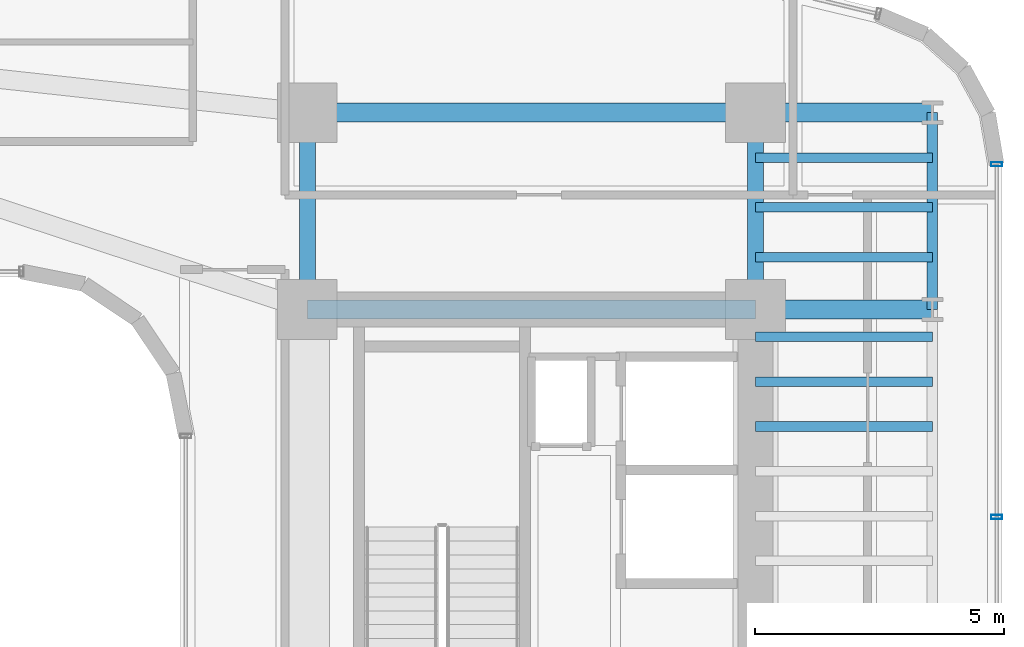
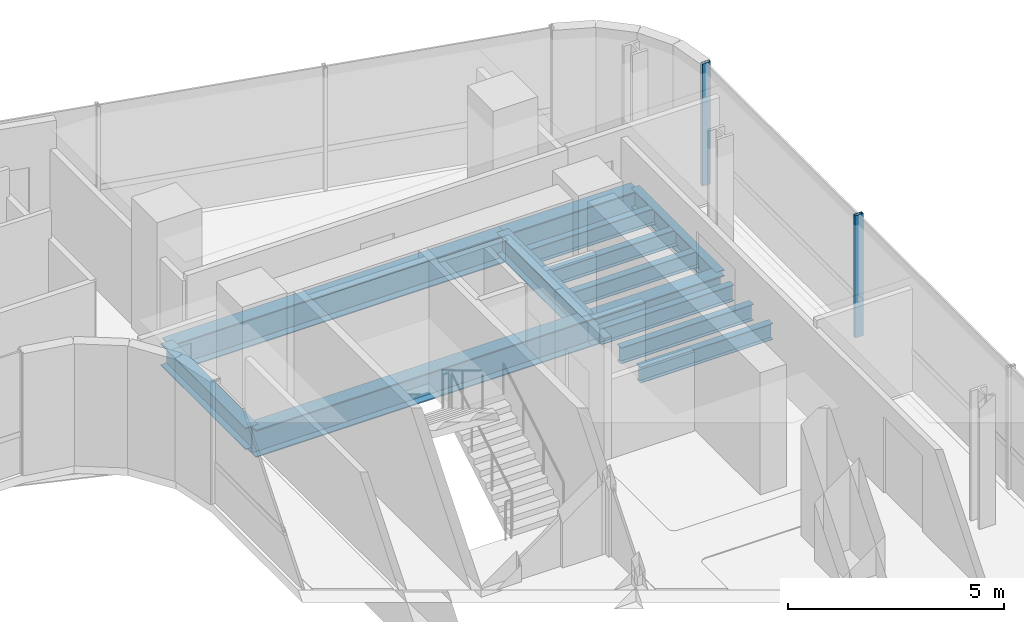
# One storey, part 19 of 37: 13 beams, 2 members, 1 element without a shape of its own.
"""IFC4 building model written with IfcOpenShell, lengths in metres."""

from ifc_helpers import new_model, si_unit, direction, frame, origin, origin_2d, place, context, subcontext, project, spatial, hollow_rectangle, i_section, extrude, source, transform, mapped, material, material_profile, profile_set, type_object, element, aggregate, save


model = new_model("IFC4")

# Units and contexts
model_context = context("Model", 3, precision=1e-05, world=origin(), true_north=direction((0.0, 1.0)))
body_context = subcontext(model_context, "Body", "Model", "MODEL_VIEW")
ifc_project = project(units=[si_unit("LENGTHUNIT", "METRE"), si_unit("AREAUNIT", "SQUARE_METRE"), si_unit("VOLUMEUNIT", "CUBIC_METRE"), si_unit("PLANEANGLEUNIT", "RADIAN"), si_unit("MASSUNIT", "GRAM", prefix="KILO")], contexts=[model_context])

# Site, building, storey
site_placement = place(None, origin())
site = spatial("IfcSite", under=ifc_project, at=site_placement, CompositionType="ELEMENT")
building_placement = place(site_placement, origin())
building = spatial("IfcBuilding", under=site, at=building_placement, Name="Valdorenza Pilgrim Sanctuary Tower", CompositionType="ELEMENT")
storey_placement = place(building_placement, frame((0.0, 0.0, 127.89990234375)))
storey = spatial("IfcBuildingStorey", under=building, at=storey_placement, Name="L32", CompositionType="ELEMENT", Elevation=127.89990234375)

# Beams
ifc_material_1 = material(Name="Steel ASTM A992 Grade 50", Category="steel")
ifc_material_profile_1 = material_profile(ifc_material_1, i_section(OverallWidth=0.323974609375, OverallDepth=0.611083984375, WebThickness=0.0126953125, FlangeThickness=0.01904296875, at=origin_2d()), Name="W24X104")
ifc_profile_set_1 = profile_set([ifc_material_profile_1], Name="Steel ASTM A992 Grade 50")
beam_type_1 = type_object("IfcBeamType", Name="STR-BM-GRD-W24B", PredefinedType="BEAM", material=ifc_profile_set_1)
shared_shape_1 = source(origin(), body_context, "Body", "SweptSolid", [
    extrude(i_section(OverallWidth=0.323974609375, OverallDepth=0.611083984375, WebThickness=0.0126953125, FlangeThickness=0.01904296875, at=origin_2d()), origin(), (0.0, 0.0, 1.0), 3.949951171875),
])
for number, where, z_axis, x_axis, name in (
    (1, (15.85009765625, 9.550048828125, -0.54541015625), (0.0, 1.0, 0.0), (-1.0, 0.0, 0.0), "L32 Core Tie Girder CB-W-N1N2"),
    (2, (24.85009765625, 9.550048828125, -0.54541015625), (0.0, 1.0, 0.0), (-1.0, 0.0, 0.0), "L32 Core Tie Girder CB-E-N1N2"),
):
    element("IfcBeam", number, at=place(storey_placement, frame(where, z_axis=z_axis, x_axis=x_axis)), inside=storey, type_object=beam_type_1, Name=name, PredefinedType="BEAM", context=body_context, shape_type="MappedRepresentation", body=[
        mapped(shared_shape_1, transform((0.0, 0.0, 0.0), x_axis=(1.0, 0.0, 0.0), y_axis=(0.0, 1.0, 0.0), z_axis=(0.0, 0.0, 1.0), scale=1.0)),
    ])
ifc_material_profile_2 = material_profile(ifc_material_1, i_section(OverallWidth=0.214111328125, OverallDepth=0.549072265625, WebThickness=0.0146484375, FlangeThickness=0.023681640625, at=origin_2d()), Name="W21X93")
ifc_profile_set_2 = profile_set([ifc_material_profile_2], Name="Steel ASTM A992 Grade 50")
beam_type_2 = type_object("IfcBeamType", Name="STR-BM-SPN-W21A", PredefinedType="SPANDREL", material=ifc_profile_set_2)
shared_shape_2 = source(origin(), body_context, "Body", "SweptSolid", [
    extrude(i_section(OverallWidth=0.214111328125, OverallDepth=0.549072265625, WebThickness=0.0146484375, FlangeThickness=0.023681640625, at=origin_2d()), origin(), (0.0, 0.0, 1.0), 3.949951171875),
])
beam_placement = place(storey_placement, frame((28.39990234375, 9.550048828125, -0.514404296875), z_axis=(0.0, 1.0, 0.0), x_axis=(-1.0, 0.0, 0.0)))
element("IfcBeam", 3, at=beam_placement, inside=storey, type_object=beam_type_2, Name="L32 Spandrel Beam WB-E-N1N2", PredefinedType="SPANDREL", context=body_context, shape_type="MappedRepresentation", body=[
    mapped(shared_shape_2, transform((0.0, 0.0, 0.0), x_axis=(1.0, 0.0, 0.0), y_axis=(0.0, 1.0, 0.0), z_axis=(0.0, 0.0, 1.0), scale=1.0)),
])
ifc_material_profile_3 = material_profile(ifc_material_1, i_section(OverallWidth=0.382080078125, OverallDepth=0.779052734375, WebThickness=0.01806640625, FlangeThickness=0.030029296875, at=origin_2d()), Name="W30X191")
ifc_profile_set_3 = profile_set([ifc_material_profile_3], Name="Steel ASTM A992 Grade 50")
beam_type_3 = type_object("IfcBeamType", Name="STR-BM-GRD-W30", PredefinedType="BEAM", material=ifc_profile_set_3)
shared_shape_3 = source(origin(), body_context, "Body", "SweptSolid", [
    extrude(i_section(OverallWidth=0.382080078125, OverallDepth=0.779052734375, WebThickness=0.01806640625, FlangeThickness=0.030029296875, at=origin_2d()), origin(), (0.0, 0.0, 1.0), 9.0),
])
for number, where, z_axis, x_axis, name in (
    (4, (15.85009765625, 9.550048828125, -0.62939453125), (1.0, 0.0, 0.0), (0.0, 1.0, 0.0), "L32 Floor Girder CB-XC-N1"),
    (5, (15.85009765625, 13.5, -0.62939453125), (1.0, 0.0, 0.0), (0.0, 1.0, 0.0), "L32 Floor Girder CB-XC-N2"),
):
    element("IfcBeam", number, at=place(storey_placement, frame(where, z_axis=z_axis, x_axis=x_axis)), inside=storey, type_object=beam_type_3, Name=name, PredefinedType="BEAM", context=body_context, shape_type="MappedRepresentation", body=[
        mapped(shared_shape_3, transform((0.0, 0.0, 0.0), x_axis=(1.0, 0.0, 0.0), y_axis=(0.0, 1.0, 0.0), z_axis=(0.0, 0.0, 1.0), scale=1.0)),
    ])
shared_shape_4 = source(origin(), body_context, "Body", "SweptSolid", [
    extrude(i_section(OverallWidth=0.382080078125, OverallDepth=0.779052734375, WebThickness=0.01806640625, FlangeThickness=0.030029296875, at=origin_2d()), origin(), (0.0, 0.0, 1.0), 3.5498046875),
])
for number, where, z_axis, x_axis, name in (
    (6, (24.85009765625, 9.550048828125, -0.62939453125), (1.0, 0.0, 0.0), (0.0, 1.0, 0.0), "L32 Floor Girder WB-XE-N1"),
    (7, (24.85009765625, 13.5, -0.62939453125), (1.0, 0.0, 0.0), (0.0, 1.0, 0.0), "L32 Floor Girder WB-XE-N2"),
):
    element("IfcBeam", number, at=place(storey_placement, frame(where, z_axis=z_axis, x_axis=x_axis)), inside=storey, type_object=beam_type_3, Name=name, PredefinedType="BEAM", context=body_context, shape_type="MappedRepresentation", body=[
        mapped(shared_shape_4, transform((0.0, 0.0, 0.0), x_axis=(1.0, 0.0, 0.0), y_axis=(0.0, 1.0, 0.0), z_axis=(0.0, 0.0, 1.0), scale=1.0)),
    ])
ifc_material_profile_4 = material_profile(ifc_material_1, i_section(OverallWidth=0.19091796875, OverallDepth=0.45703125, WebThickness=0.009033203125, FlangeThickness=0.014404296875, at=origin_2d()), Name="W18X50")
ifc_profile_set_4 = profile_set([ifc_material_profile_4], Name="Steel ASTM A992 Grade 50")
beam_type_4 = type_object("IfcBeamType", Name="STR-BM-JST-W18B", PredefinedType="JOIST", material=ifc_profile_set_4)
shared_shape_5 = source(origin(), body_context, "Body", "SweptSolid", [
    extrude(i_section(OverallWidth=0.19091796875, OverallDepth=0.45703125, WebThickness=0.009033203125, FlangeThickness=0.014404296875, at=origin_2d()), origin(), (0.0, 0.0, 1.0), 3.5498046875),
])
for number, where, z_axis, x_axis, name in (
    (8, (24.85009765625, 7.199951171875, -0.468505859375), (1.0, 0.0, 0.0), (0.0, 1.0, 0.0), "L32 Composite Floor Joist JST-WB-16"),
    (9, (24.85009765625, 8.10009765625, -0.468505859375), (1.0, 0.0, 0.0), (0.0, 1.0, 0.0), "L32 Composite Floor Joist JST-WB-17"),
    (10, (24.85009765625, 9.0, -0.468505859375), (1.0, 0.0, 0.0), (0.0, 1.0, 0.0), "L32 Composite Floor Joist JST-WB-18"),
    (11, (24.85009765625, 10.60009765625, -0.468505859375), (1.0, 0.0, 0.0), (0.0, 1.0, 0.0), "L32 Composite Floor Joist JST-WB-19"),
    (12, (24.85009765625, 11.60009765625, -0.468505859375), (1.0, 0.0, 0.0), (0.0, 1.0, 0.0), "L32 Composite Floor Joist JST-WB-20"),
    (13, (24.85009765625, 12.60009765625, -0.468505859375), (1.0, 0.0, 0.0), (0.0, 1.0, 0.0), "L32 Composite Floor Joist JST-WB-21"),
):
    element("IfcBeam", number, at=place(storey_placement, frame(where, z_axis=z_axis, x_axis=x_axis)), inside=storey, type_object=beam_type_4, Name=name, PredefinedType="JOIST", context=body_context, shape_type="MappedRepresentation", body=[
        mapped(shared_shape_5, transform((0.0, 0.0, 0.0), x_axis=(1.0, 0.0, 0.0), y_axis=(0.0, 1.0, 0.0), z_axis=(0.0, 0.0, 1.0), scale=1.0)),
    ])

# Curtain wall, members
ifc_material_2 = material(Name="Curtain-wall IGU glazing", Category="glass")
curtain_wall_type = type_object("IfcCurtainWallType", Name="CW-SYS-03", PredefinedType="NOTDEFINED", material=ifc_material_2)
curtain_wall_placement = place(storey_placement, origin())
curtain_wall = element("IfcCurtainWall", 14, at=curtain_wall_placement, inside=storey, type_object=curtain_wall_type, Name="L32 Curtain Wall CW-L32-1-21", PredefinedType="NOTDEFINED")
ifc_material_3 = material(Name="Anodised aluminium AW-6060", Category="aluminium")
ifc_material_profile_5 = material_profile(ifc_material_3, hollow_rectangle(XDim=0.0849609375, YDim=0.219970703125, WallThickness=0.0048828125, at=origin_2d()), Name="ALU-M 220x85x5")
ifc_profile_set_5 = profile_set([ifc_material_profile_5], Name="Anodised aluminium AW-6060")
member_type = type_object("IfcMemberType", Name="CW-MUL-03", PredefinedType="MULLION", material=ifc_profile_set_5)
shared_shape_6 = source(origin(), body_context, "Body", "SweptSolid", [
    extrude(hollow_rectangle(XDim=0.0849609375, YDim=0.219970703125, WallThickness=0.0048828125, at=origin_2d()), origin(), (0.0, 0.0, 1.0), 3.460205078125),
])
member_1_placement = place(storey_placement, frame((29.68994140625, 12.46630859375, 0.0), z_axis=(0.0, 0.0, 1.0), x_axis=(0.0, -1.0, 0.0)))
member_1 = element("IfcMember", 15, at=member_1_placement, type_object=member_type, Name="CW-L32-1-21 Mullion 1", PredefinedType="MULLION", context=body_context, shape_type="MappedRepresentation", body=[
    mapped(shared_shape_6, transform((0.0, 0.0, 0.0), x_axis=(1.0, 0.0, 0.0), y_axis=(0.0, 1.0, 0.0), z_axis=(0.0, 0.0, 1.0), scale=1.0)),
])
member_2_placement = place(storey_placement, frame((29.68994140625, 5.381103515625, 0.0), z_axis=(0.0, 0.0, 1.0), x_axis=(0.0, -1.0, 0.0)))
member_2 = element("IfcMember", 16, at=member_2_placement, type_object=member_type, Name="CW-L32-1-21 Mullion 2", PredefinedType="MULLION", context=body_context, shape_type="MappedRepresentation", body=[
    mapped(shared_shape_6, transform((0.0, 0.0, 0.0), x_axis=(1.0, 0.0, 0.0), y_axis=(0.0, 1.0, 0.0), z_axis=(0.0, 0.0, 1.0), scale=1.0)),
])
aggregate(curtain_wall, [member_1, member_2])

save(model, "model.ifc")
